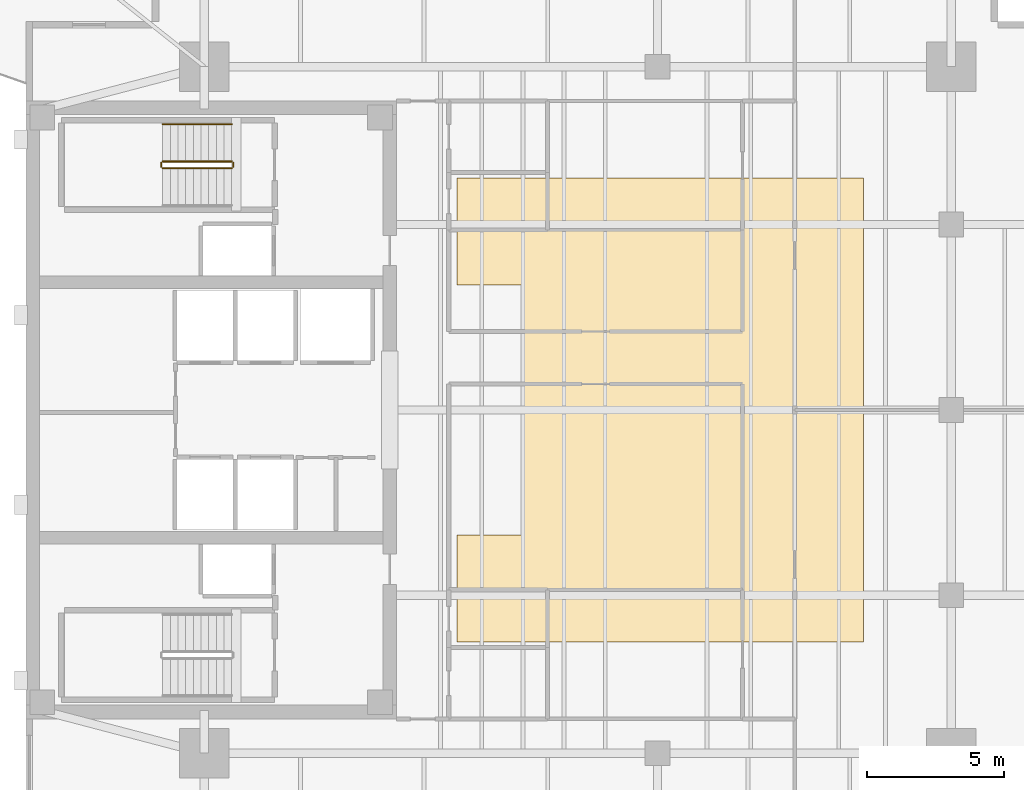
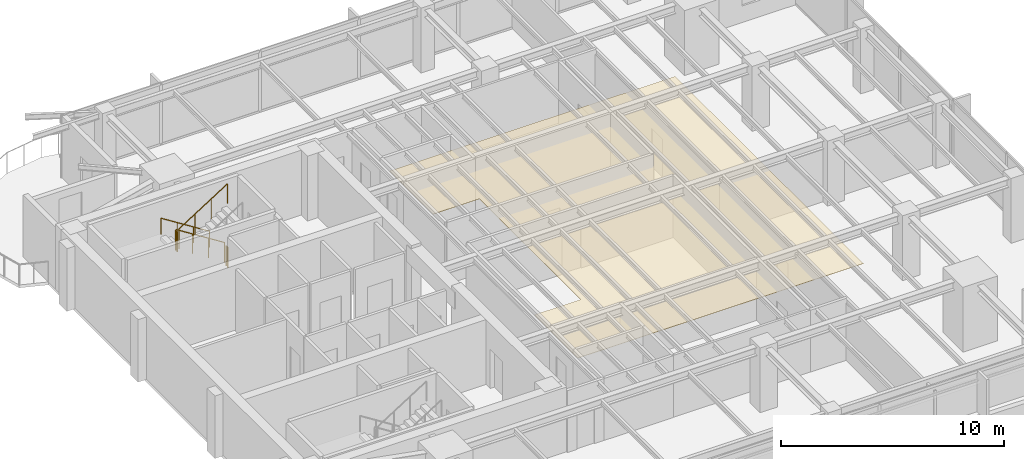
# One storey, part 13 of 14: 5 railings, 1 covering.
"""IFC4 building model written with IfcOpenShell, lengths in metres."""

from ifc_helpers import new_model, si_unit, direction, frame, origin, origin_2d, place, context, subcontext, project, spatial, polyline, circle, outline, extrude, material, layer, layer_set, type_object, element, save


model = new_model("IFC4")

# Units and contexts
model_context = context("Model", 3, precision=1e-05, world=origin(), true_north=direction((0.0, 1.0)))
body_context = subcontext(model_context, "Body", "Model", "MODEL_VIEW")
ifc_project = project(units=[si_unit("LENGTHUNIT", "METRE"), si_unit("AREAUNIT", "SQUARE_METRE"), si_unit("VOLUMEUNIT", "CUBIC_METRE"), si_unit("PLANEANGLEUNIT", "RADIAN"), si_unit("MASSUNIT", "GRAM", prefix="KILO")], contexts=[model_context])

# Site, building, storey
site_placement = place(None, origin())
site = spatial("IfcSite", under=ifc_project, at=site_placement, CompositionType="ELEMENT")
building_placement = place(site_placement, origin())
building = spatial("IfcBuilding", under=site, at=building_placement, Name="Kinhvarn Gate Tower", CompositionType="ELEMENT")
storey_placement = place(building_placement, frame((0.0, 0.0, 267.0)))
storey = spatial("IfcBuildingStorey", under=building, at=storey_placement, Name="L71", CompositionType="ELEMENT", Elevation=267.0)

# Covering
ifc_material_1 = material(Name="Mineral-fibre acoustic ceiling tile")
ifc_layer = layer(ifc_material_1, 0.02001953125)
ifc_layer_set = layer_set([ifc_layer], Name="Mineral-fibre acoustic ceiling tile")
covering_type = type_object("IfcCoveringType", Name="COV-CEIL-20", PredefinedType="CEILING", material=ifc_layer_set)
covering_placement = place(storey_placement, frame((0.0, 0.0, 2.64990234375)))
element("IfcCovering", 1, at=covering_placement, inside=storey, type_object=covering_type, Name="Suspended Acoustic Ceiling Tile (L71-1)", PredefinedType="CEILING", context=body_context, shape_type="SweptSolid", body=[
    extrude(outline(polyline([(35.0, 33.699951171875), (35.0, 16.800048828125), (20.199951171875, 16.800048828125), (20.199951171875, 20.699951171875), (22.60009765625, 20.699951171875), (22.60009765625, 29.800048828125), (20.199951171875, 29.800048828125), (20.199951171875, 33.699951171875), (35.0, 33.699951171875)])), origin(), (0.0, 0.0, 1.0), 0.02001953125),
])

# Railings
ifc_material_2 = material(Name="Steel S355", Category="steel")
railing_type_1 = type_object("IfcRailingType", Name="RL-ST-GRD", PredefinedType="BALUSTRADE", material=ifc_material_2)
railing_1_placement = place(storey_placement, frame((12.0, 34.300048828125, 0.177490234375)))
element("IfcRailing", 2, at=railing_1_placement, inside=storey, type_object=railing_type_1, Name="L71 ST2 stair guard 1", PredefinedType="BALUSTRADE", context=body_context, shape_type="SweptSolid", body=[
    extrude(circle(Radius=0.02392578125, at=origin_2d()), frame((0.0, 0.0, 1.076171875), z_axis=(-0.84460694969, 0.0, 0.535386869969), x_axis=(0.0, -1.0, 0.0)), (0.0, 0.0, 1.0), 2.983642578125),
    extrude(circle(Radius=0.02099609375, at=origin_2d()), origin(), (0.0, 0.0, 1.0), 1.052001953125),
    extrude(circle(Radius=0.02099609375, at=origin_2d()), frame((-0.840087890625, 0.0, 0.532470703125)), (0.0, 0.0, 1.0), 1.052001953125),
    extrude(circle(Radius=0.02099609375, at=origin_2d()), frame((-1.679931640625, 0.0, 1.06494140625)), (0.0, 0.0, 1.0), 1.052001953125),
    extrude(circle(Radius=0.02099609375, at=origin_2d()), frame((-2.52001953125, 0.0, 1.597412109375)), (0.0, 0.0, 1.0), 1.052001953125),
])
railing_2_placement = place(storey_placement, frame((9.429931640625, 34.25, 1.77490234375)))
element("IfcRailing", 3, at=railing_2_placement, inside=storey, type_object=railing_type_1, Name="L71 ST2 stair guard 2", PredefinedType="BALUSTRADE", context=body_context, shape_type="SweptSolid", body=[
    extrude(circle(Radius=0.02392578125, at=origin_2d()), frame((0.0, 0.0, 1.076171875), z_axis=(0.0, -1.0, 0.0), x_axis=(1.0, 0.0, 0.0)), (0.0, 0.0, 1.0), 0.14990234375),
    extrude(circle(Radius=0.02099609375, at=origin_2d()), origin(), (0.0, 0.0, 1.0), 1.052001953125),
    extrude(circle(Radius=0.02099609375, at=origin_2d()), frame((0.0, -0.14990234375, 0.0)), (0.0, 0.0, 1.0), 1.052001953125),
])
railing_3_placement = place(storey_placement, frame((9.47998046875, 34.050048828125, 1.952392578125)))
element("IfcRailing", 4, at=railing_3_placement, inside=storey, type_object=railing_type_1, Name="L71 ST2 stair guard 3", PredefinedType="BALUSTRADE", context=body_context, shape_type="SweptSolid", body=[
    extrude(circle(Radius=0.02392578125, at=origin_2d()), frame((0.0, 0.0, 1.076171875), z_axis=(0.84456994832, 0.0, 0.535445237532), x_axis=(0.0, 1.0, 0.0)), (0.0, 0.0, 1.0), 2.98388671875),
    extrude(circle(Radius=0.02099609375, at=origin_2d()), origin(), (0.0, 0.0, 1.0), 1.052001953125),
    extrude(circle(Radius=0.02099609375, at=origin_2d()), frame((0.840087890625, 0.0, 0.532470703125)), (0.0, 0.0, 1.0), 1.052001953125),
    extrude(circle(Radius=0.02099609375, at=origin_2d()), frame((1.679931640625, 0.0, 1.065185546875)), (0.0, 0.0, 1.0), 1.052001953125),
    extrude(circle(Radius=0.02099609375, at=origin_2d()), frame((2.52001953125, 0.0, 1.59765625)), (0.0, 0.0, 1.0), 1.052001953125),
])
railing_4_placement = place(storey_placement, frame((12.050048828125, 34.25, 0.0)))
element("IfcRailing", 5, at=railing_4_placement, inside=storey, type_object=railing_type_1, Name="L71 ST2 stair guard 4", PredefinedType="BALUSTRADE", context=body_context, shape_type="SweptSolid", body=[
    extrude(circle(Radius=0.02392578125, at=origin_2d()), frame((0.0, 0.0, 1.076171875), z_axis=(0.0, -1.0, 0.0), x_axis=(1.0, 0.0, 0.0)), (0.0, 0.0, 1.0), 0.14990234375),
    extrude(circle(Radius=0.02099609375, at=origin_2d()), origin(), (0.0, 0.0, 1.0), 1.052001953125),
    extrude(circle(Radius=0.02099609375, at=origin_2d()), frame((0.0, -0.14990234375, 0.0)), (0.0, 0.0, 1.0), 1.052001953125),
])
railing_type_2 = type_object("IfcRailingType", Name="RL-ST-HND", PredefinedType="HANDRAIL", material=ifc_material_2)
railing_5_placement = place(storey_placement, frame((12.0, 35.64990234375, 0.177490234375)))
element("IfcRailing", 6, at=railing_5_placement, inside=storey, type_object=railing_type_2, Name="L71 ST2 stair handrail 1", PredefinedType="HANDRAIL", context=body_context, shape_type="SweptSolid", body=[
    extrude(circle(Radius=0.02392578125, at=origin_2d()), frame((0.0, 0.0, 0.8759765625), z_axis=(-0.84460694969, 0.0, 0.535386869969), x_axis=(0.0, -1.0, 0.0)), (0.0, 0.0, 1.0), 2.983642578125),
    extrude(circle(Radius=0.02099609375, at=origin_2d()), origin(), (0.0, 0.0, 1.0), 0.851806640625),
    extrude(circle(Radius=0.02099609375, at=origin_2d()), frame((-0.840087890625, 0.0, 0.532470703125)), (0.0, 0.0, 1.0), 0.851806640625),
    extrude(circle(Radius=0.02099609375, at=origin_2d()), frame((-1.679931640625, 0.0, 1.06494140625)), (0.0, 0.0, 1.0), 0.851806640625),
    extrude(circle(Radius=0.02099609375, at=origin_2d()), frame((-2.52001953125, 0.0, 1.597412109375)), (0.0, 0.0, 1.0), 0.851806640625),
])

save(model, "model.ifc")
